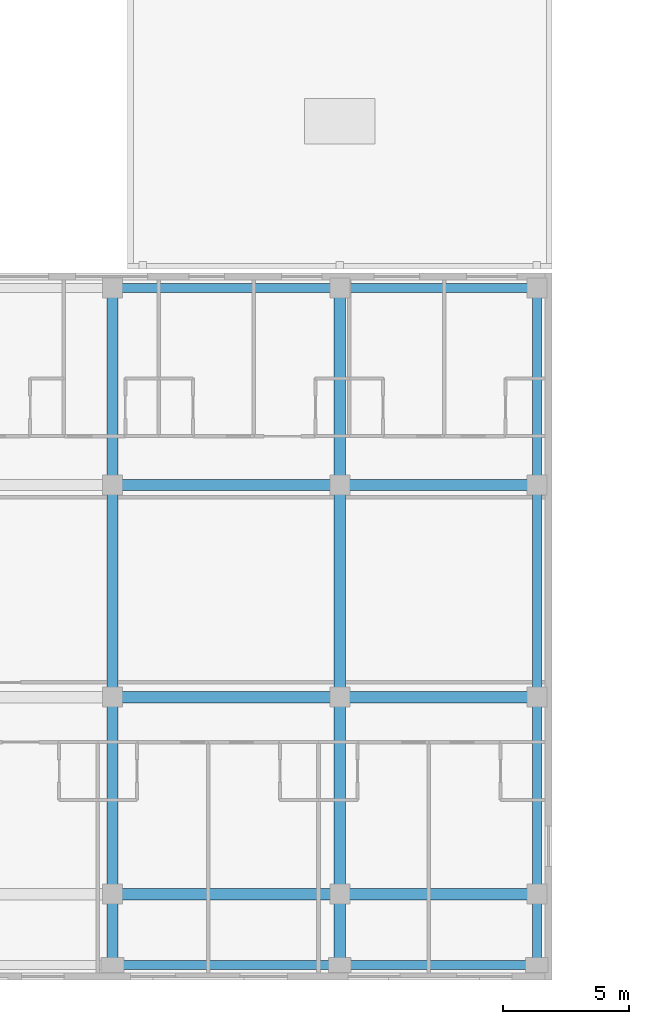
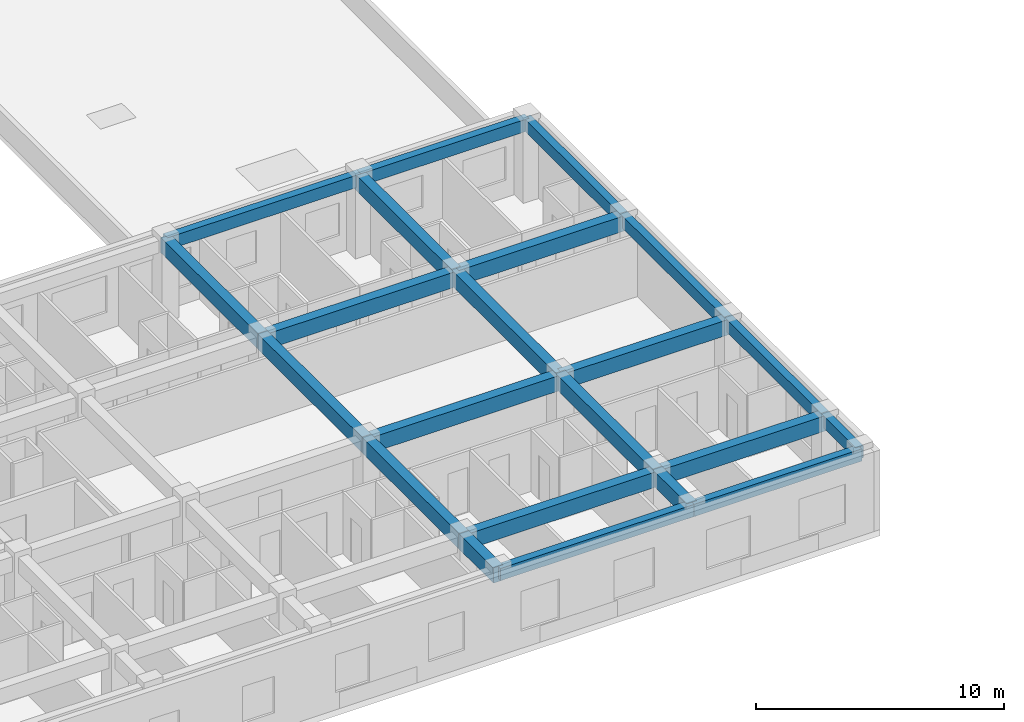
# One storey, part 26 of 127: 22 beams.
"""IFC4 building model written with IfcOpenShell, lengths in metres."""

import ifcopenshell
import ifcopenshell.guid

model = None  # the IFC model being written
_history = None  # IfcOwnerHistory: only IFC2X3 demands one
_inside = {}  # id of a spatial element -> (the spatial element, [elements in it])
_under = {}  # id of a project, library or spatial element -> (it, [spatial elements below it])
_declared = {}  # id of a project -> (the project, [libraries it declares])
_typed = {}  # id of a type object -> (the type object, [elements of that type])
_made_of = {}  # id of a material, layer set ... -> (it, [elements and type objects made of it])


def new_model(schema):
    """Start an empty IFC model of exactly this schema.

    Asked for "IFC4X3", IfcOpenShell would pick the latest addendum, in which some entities
    have other attributes; the version numbers below select the first issue.
    IFC2X3 requires an IfcOwnerHistory on every rooted entity: one is made here for all.
    """
    global model, _history
    if schema == "IFC4X3":
        model = ifcopenshell.file(schema_version=(4, 3, 0, 0))
    else:
        model = ifcopenshell.file(schema=schema)
    _inside.clear()
    _under.clear()
    _declared.clear()
    _typed.clear()
    _made_of.clear()
    _history = None
    if model.schema == "IFC2X3":
        org = make("IfcOrganization", Name="unknown")
        user = make(
            "IfcPersonAndOrganization",
            ThePerson=make("IfcPerson", FamilyName="unknown"),
            TheOrganization=org,
        )
        app = make(
            "IfcApplication",
            ApplicationDeveloper=org,
            Version="unknown",
            ApplicationFullName="unknown",
            ApplicationIdentifier="unknown",
        )
        _history = make(
            "IfcOwnerHistory",
            OwningUser=user,
            OwningApplication=app,
            ChangeAction="ADDED",
            CreationDate=0,
        )
    return model


def make(cls, **values):
    """One entity of the class cls with the attributes given. An attribute that is None is left unset."""
    return model.create_entity(
        cls, **{name: value for name, value in values.items() if value is not None}
    )


def rooted(cls, **values):
    """An entity with a GlobalId (a new one), such as an element, a storey or a relation."""
    return make(cls, GlobalId=ifcopenshell.guid.new(), OwnerHistory=_history, **values)


def si_unit(unit_type, name, prefix=None):
    """IfcSIUnit, for example si_unit("LENGTHUNIT", "METRE", prefix="MILLI")."""
    return make("IfcSIUnit", UnitType=unit_type, Prefix=prefix, Name=name)


def assignment(units):
    """IfcUnitAssignment: the units of a project."""
    return None if units is None else make("IfcUnitAssignment", Units=units)


def point(xyz):
    """IfcCartesianPoint."""
    return None if xyz is None else make("IfcCartesianPoint", Coordinates=xyz)


def direction(xyz):
    """IfcDirection."""
    return None if xyz is None else make("IfcDirection", DirectionRatios=xyz)


def frame(location, z_axis=None, x_axis=None):
    """IfcAxis2Placement3D, a coordinate frame: its origin and axes. An axis left out is left unset."""
    return make(
        "IfcAxis2Placement3D",
        Location=point(location),
        Axis=direction(z_axis),
        RefDirection=direction(x_axis),
    )


def frame_2d(location, x_axis=None):
    """IfcAxis2Placement2D, a coordinate frame in the plane: its origin and x axis."""
    return make(
        "IfcAxis2Placement2D", Location=point(location), RefDirection=direction(x_axis)
    )


def origin():
    """The frame at (0, 0, 0) with its axes left unset."""
    return frame((0.0, 0.0, 0.0))


def origin_2d():
    """The frame at (0, 0) in the plane with its x axis left unset."""
    return frame_2d((0.0, 0.0))


def place(relative_to, where):
    """IfcLocalPlacement: puts the frame where relative to a parent placement (None: the world)."""
    return make(
        "IfcLocalPlacement", PlacementRelTo=relative_to, RelativePlacement=where
    )


def context(
    kind, dimensions, precision=None, world=None, true_north=None, identifier=None
):
    """IfcGeometricRepresentationContext, for example the 3D "Model" context."""
    return make(
        "IfcGeometricRepresentationContext",
        ContextIdentifier=identifier,
        ContextType=kind,
        CoordinateSpaceDimension=dimensions,
        Precision=precision,
        WorldCoordinateSystem=world,
        TrueNorth=true_north,
    )


def subcontext(parent, identifier, kind, view, scale=None):
    """IfcGeometricRepresentationSubContext, for example "Body" below "Model"."""
    return make(
        "IfcGeometricRepresentationSubContext",
        ContextIdentifier=identifier,
        ContextType=kind,
        ParentContext=parent,
        TargetScale=scale,
        TargetView=view,
    )


def project(units=None, contexts=None):
    """IfcProject with its units and contexts."""
    return rooted(
        "IfcProject",
        Name="project",
        RepresentationContexts=contexts,
        UnitsInContext=assignment(units),
    )


def spatial(cls, under=None, at=None, **own):
    """A site, building, storey or space (cls), placed at a placement, below another one or the project."""
    s = rooted(cls, ObjectPlacement=at, **own)
    if under is not None:
        _under.setdefault(under.id(), (under, []))[1].append(s)
    return s


def profile(cls, at=None, kind="AREA", **sizes):
    """A parametric profile (cls). Its sizes go by their IFC names, for example OverallWidth=200.0."""
    return make(cls, ProfileType=kind, Position=at, **sizes)


def rectangle(**sizes):
    """IfcRectangleProfileDef."""
    return profile("IfcRectangleProfileDef", **sizes)


def extrude(swept, where, along, depth):
    """IfcExtrudedAreaSolid: the profile swept, set in the frame where, extruded along a direction by depth."""
    return make(
        "IfcExtrudedAreaSolid",
        SweptArea=swept,
        Position=where,
        ExtrudedDirection=direction(along),
        Depth=depth,
    )


def shape(context_of_items, identifier, shape_type, items):
    """IfcShapeRepresentation: the items that make up one representation, for example the "Body"."""
    return make(
        "IfcShapeRepresentation",
        ContextOfItems=context_of_items,
        RepresentationIdentifier=identifier,
        RepresentationType=shape_type,
        Items=items,
    )


def material(Name=None, Category=None):
    """IfcMaterial."""
    return make("IfcMaterial", Name=Name, Category=Category)


def material_profile(
    of_material, cross_section, Name=None, Category=None, Priority=None
):
    """IfcMaterialProfile: a cross section and its material."""
    return make(
        "IfcMaterialProfile",
        Name=Name,
        Material=of_material,
        Profile=cross_section,
        Priority=Priority,
        Category=Category,
    )


def profile_set(profiles, Name=None, composite=None):
    """IfcMaterialProfileSet."""
    return make(
        "IfcMaterialProfileSet",
        Name=Name,
        MaterialProfiles=profiles,
        CompositeProfile=composite,
    )


def made_of(thing, what):
    """Note that an element or type object is made of a material, layer set ...; save() writes the relation."""
    if what is not None:
        _made_of.setdefault(what.id(), (what, []))[1].append(thing)
    return thing


def type_object(cls, material=None, **own):
    """A type object (cls), such as IfcWallType, which elements share."""
    return made_of(rooted(cls, **own), material)


def element(
    cls,
    number,
    at=None,
    inside=None,
    cuts=None,
    type_object=None,
    material=None,
    context=None,
    identifier="Body",
    shape_type=None,
    held_by="IfcProductDefinitionShape",
    body=None,
    shapes=None,
    **own,
):
    """One element of the class cls, such as IfcWall. Its Tag is "e" and its number.

    at: its placement. inside: the storey or other place that contains it. cuts: it is an
    opening in that element (IfcRelVoidsElement). A single representation is given by context,
    identifier, shape_type and body (its items); several are given by shapes. held_by: the class
    of the entity that holds the representations. save() writes the other relations.
    """
    e = rooted(cls, Tag="e%d" % number, ObjectPlacement=at, **own)
    if body is not None:
        shapes = [shape(context, identifier, shape_type, body)]
    if shapes is not None:
        e.Representation = make(held_by, Representations=shapes)
    if inside is not None:
        _inside.setdefault(inside.id(), (inside, []))[1].append(e)
    if cuts is not None:
        rooted(
            "IfcRelVoidsElement", RelatingBuildingElement=cuts, RelatedOpeningElement=e
        )
    if type_object is not None:
        _typed.setdefault(type_object.id(), (type_object, []))[1].append(e)
    return made_of(e, material)


def aggregate(whole, parts):
    """IfcRelAggregates: a whole, such as a stair, and the parts it consists of."""
    return rooted("IfcRelAggregates", RelatingObject=whole, RelatedObjects=parts)


def save(model, path):
    """Write the relations noted so far, then the file.

    IfcRelAggregates (storeys below a building ...), IfcRelContainedInSpatialStructure (elements
    in a storey), IfcRelDefinesByType, IfcRelAssociatesMaterial and IfcRelDeclares: one each for
    every whole, place, type object, material and project.
    """
    for whole, parts in _under.values():
        aggregate(whole, parts)
    for where, things in _inside.values():
        rooted(
            "IfcRelContainedInSpatialStructure",
            RelatedElements=things,
            RelatingStructure=where,
        )
    for kind, things in _typed.values():
        rooted("IfcRelDefinesByType", RelatedObjects=things, RelatingType=kind)
    for what, things in _made_of.values():
        rooted("IfcRelAssociatesMaterial", RelatedObjects=things, RelatingMaterial=what)
    for by, libraries in _declared.values():
        rooted("IfcRelDeclares", RelatingContext=by, RelatedDefinitions=libraries)
    model.write(path)


model = new_model("IFC4")

# Units and contexts
model_context = context("Model", 3, precision=1e-05, world=origin(), true_north=direction((0.0, 1.0)))
body_context = subcontext(model_context, "Body", "Model", "MODEL_VIEW")
ifc_project = project(units=[si_unit("LENGTHUNIT", "METRE"), si_unit("AREAUNIT", "SQUARE_METRE"), si_unit("VOLUMEUNIT", "CUBIC_METRE"), si_unit("PLANEANGLEUNIT", "RADIAN"), si_unit("MASSUNIT", "GRAM", prefix="KILO")], contexts=[model_context])

# Site, building, storey
site_placement = place(None, origin())
site = spatial("IfcSite", under=ifc_project, at=site_placement, CompositionType="ELEMENT")
building_placement = place(site_placement, origin())
building = spatial("IfcBuilding", under=site, at=building_placement, Name="Zayran Congress Hotel", CompositionType="ELEMENT")
storey_placement = place(building_placement, frame((0.0, 0.0, 10.800048828125)))
storey = spatial("IfcBuildingStorey", under=building, at=storey_placement, Name="L02", CompositionType="ELEMENT", Elevation=10.800048828125)

# Beams
ifc_material = material(Name="Concrete C40/50", Category="concrete")
ifc_material_profile_1 = material_profile(ifc_material, rectangle(XDim=0.449951171875, YDim=0.75, at=origin_2d()), Name="RC 450x750")
ifc_profile_set_1 = profile_set([ifc_material_profile_1], Name="Concrete C40/50")
beam_type_1 = type_object("IfcBeamType", Name="TP-BM-02", PredefinedType="BEAM", material=ifc_profile_set_1)
beam_1_placement = place(storey_placement, frame((75.0, 9.39990234375, 3.544921875), z_axis=(1.0, 0.0, 0.0), x_axis=(0.0, 1.0, 0.0)))
element("IfcBeam", 1, at=beam_1_placement, inside=storey, type_object=beam_type_1, Name="BM-V5-L02-1786", PredefinedType="BEAM", context=body_context, shape_type="SweptSolid", body=[
    extrude(rectangle(XDim=0.449951171875, YDim=0.75, at=origin_2d()), origin(), (0.0, 0.0, 1.0), 9.0),
])
beam_2_placement = place(storey_placement, frame((84.0, 9.39990234375, 3.544921875), z_axis=(1.0, 0.0, 0.0), x_axis=(0.0, 1.0, 0.0)))
element("IfcBeam", 2, at=beam_2_placement, inside=storey, type_object=beam_type_1, Name="BM-V5-L02-1787", PredefinedType="BEAM", context=body_context, shape_type="SweptSolid", body=[
    extrude(rectangle(XDim=0.449951171875, YDim=0.75, at=origin_2d()), origin(), (0.0, 0.0, 1.0), 7.800048828125),
])
beam_3_placement = place(storey_placement, frame((75.0, 17.199951171875, 3.544921875), z_axis=(1.0, 0.0, 0.0), x_axis=(0.0, 1.0, 0.0)))
element("IfcBeam", 3, at=beam_3_placement, inside=storey, type_object=beam_type_1, Name="BM-V5-L02-1796", PredefinedType="BEAM", context=body_context, shape_type="SweptSolid", body=[
    extrude(rectangle(XDim=0.449951171875, YDim=0.75, at=origin_2d()), origin(), (0.0, 0.0, 1.0), 9.0),
])
beam_4_placement = place(storey_placement, frame((84.0, 17.199951171875, 3.544921875), z_axis=(1.0, 0.0, 0.0), x_axis=(0.0, 1.0, 0.0)))
element("IfcBeam", 4, at=beam_4_placement, inside=storey, type_object=beam_type_1, Name="BM-V5-L02-1797", PredefinedType="BEAM", context=body_context, shape_type="SweptSolid", body=[
    extrude(rectangle(XDim=0.449951171875, YDim=0.75, at=origin_2d()), origin(), (0.0, 0.0, 1.0), 7.800048828125),
])
beam_5_placement = place(storey_placement, frame((75.0, 25.60009765625, 3.544921875), z_axis=(1.0, 0.0, 0.0), x_axis=(0.0, 1.0, 0.0)))
element("IfcBeam", 5, at=beam_5_placement, inside=storey, type_object=beam_type_1, Name="BM-V5-L02-1806", PredefinedType="BEAM", context=body_context, shape_type="SweptSolid", body=[
    extrude(rectangle(XDim=0.449951171875, YDim=0.75, at=origin_2d()), origin(), (0.0, 0.0, 1.0), 9.0),
])
beam_6_placement = place(storey_placement, frame((84.0, 25.60009765625, 3.544921875), z_axis=(1.0, 0.0, 0.0), x_axis=(0.0, 1.0, 0.0)))
element("IfcBeam", 6, at=beam_6_placement, inside=storey, type_object=beam_type_1, Name="BM-V5-L02-1807", PredefinedType="BEAM", context=body_context, shape_type="SweptSolid", body=[
    extrude(rectangle(XDim=0.449951171875, YDim=0.75, at=origin_2d()), origin(), (0.0, 0.0, 1.0), 7.800048828125),
])
beam_7_placement = place(storey_placement, frame((75.0, 6.60009765625, 3.544921875), z_axis=(0.0, 1.0, 0.0), x_axis=(-1.0, 0.0, 0.0)))
element("IfcBeam", 7, at=beam_7_placement, inside=storey, type_object=beam_type_1, Name="BM-V5-L02-1848", PredefinedType="BEAM", context=body_context, shape_type="SweptSolid", body=[
    extrude(rectangle(XDim=0.449951171875, YDim=0.75, at=origin_2d()), origin(), (0.0, 0.0, 1.0), 2.7998046875),
])
beam_8_placement = place(storey_placement, frame((75.0, 9.39990234375, 3.544921875), z_axis=(0.0, 1.0, 0.0), x_axis=(-1.0, 0.0, 0.0)))
element("IfcBeam", 8, at=beam_8_placement, inside=storey, type_object=beam_type_1, Name="BM-V5-L02-1849", PredefinedType="BEAM", context=body_context, shape_type="SweptSolid", body=[
    extrude(rectangle(XDim=0.449951171875, YDim=0.75, at=origin_2d()), origin(), (0.0, 0.0, 1.0), 7.800048828125),
])
beam_9_placement = place(storey_placement, frame((75.0, 17.199951171875, 3.544921875), z_axis=(0.0, 1.0, 0.0), x_axis=(-1.0, 0.0, 0.0)))
element("IfcBeam", 9, at=beam_9_placement, inside=storey, type_object=beam_type_1, Name="BM-V5-L02-1850", PredefinedType="BEAM", context=body_context, shape_type="SweptSolid", body=[
    extrude(rectangle(XDim=0.449951171875, YDim=0.75, at=origin_2d()), origin(), (0.0, 0.0, 1.0), 8.400146484375),
])
beam_10_placement = place(storey_placement, frame((75.0, 25.60009765625, 3.544921875), z_axis=(0.0, 1.0, 0.0), x_axis=(-1.0, 0.0, 0.0)))
element("IfcBeam", 10, at=beam_10_placement, inside=storey, type_object=beam_type_1, Name="BM-V5-L02-1851", PredefinedType="BEAM", context=body_context, shape_type="SweptSolid", body=[
    extrude(rectangle(XDim=0.449951171875, YDim=0.75, at=origin_2d()), origin(), (0.0, 0.0, 1.0), 7.7998046875),
])
beam_11_placement = place(storey_placement, frame((84.0, 6.60009765625, 3.544921875), z_axis=(0.0, 1.0, 0.0), x_axis=(-1.0, 0.0, 0.0)))
element("IfcBeam", 11, at=beam_11_placement, inside=storey, type_object=beam_type_1, Name="BM-V5-L02-1852", PredefinedType="BEAM", context=body_context, shape_type="SweptSolid", body=[
    extrude(rectangle(XDim=0.449951171875, YDim=0.75, at=origin_2d()), origin(), (0.0, 0.0, 1.0), 2.7998046875),
])
beam_12_placement = place(storey_placement, frame((84.0, 9.39990234375, 3.544921875), z_axis=(0.0, 1.0, 0.0), x_axis=(-1.0, 0.0, 0.0)))
element("IfcBeam", 12, at=beam_12_placement, inside=storey, type_object=beam_type_1, Name="BM-V5-L02-1853", PredefinedType="BEAM", context=body_context, shape_type="SweptSolid", body=[
    extrude(rectangle(XDim=0.449951171875, YDim=0.75, at=origin_2d()), origin(), (0.0, 0.0, 1.0), 7.800048828125),
])
beam_13_placement = place(storey_placement, frame((84.0, 17.199951171875, 3.544921875), z_axis=(0.0, 1.0, 0.0), x_axis=(-1.0, 0.0, 0.0)))
element("IfcBeam", 13, at=beam_13_placement, inside=storey, type_object=beam_type_1, Name="BM-V5-L02-1854", PredefinedType="BEAM", context=body_context, shape_type="SweptSolid", body=[
    extrude(rectangle(XDim=0.449951171875, YDim=0.75, at=origin_2d()), origin(), (0.0, 0.0, 1.0), 8.400146484375),
])
beam_14_placement = place(storey_placement, frame((84.0, 25.60009765625, 3.544921875), z_axis=(0.0, 1.0, 0.0), x_axis=(-1.0, 0.0, 0.0)))
element("IfcBeam", 14, at=beam_14_placement, inside=storey, type_object=beam_type_1, Name="BM-V5-L02-1855", PredefinedType="BEAM", context=body_context, shape_type="SweptSolid", body=[
    extrude(rectangle(XDim=0.449951171875, YDim=0.75, at=origin_2d()), origin(), (0.0, 0.0, 1.0), 7.7998046875),
])
ifc_material_profile_2 = material_profile(ifc_material, rectangle(XDim=0.35009765625, YDim=0.60009765625, at=origin_2d()), Name="RC 350x600")
ifc_profile_set_2 = profile_set([ifc_material_profile_2], Name="Concrete C40/50")
beam_type_2 = type_object("IfcBeamType", Name="TP-SP-01", PredefinedType="SPANDREL", material=ifc_profile_set_2)
beam_15_placement = place(storey_placement, frame((75.0, 6.60009765625, 3.619873046875), z_axis=(1.0, 0.0, 0.0), x_axis=(0.0, 1.0, 0.0)))
element("IfcBeam", 15, at=beam_15_placement, inside=storey, type_object=beam_type_2, Name="BM-V5-L02-1776", PredefinedType="SPANDREL", context=body_context, shape_type="SweptSolid", body=[
    extrude(rectangle(XDim=0.35009765625, YDim=0.60009765625, at=origin_2d()), origin(), (0.0, 0.0, 1.0), 9.0),
])
beam_16_placement = place(storey_placement, frame((84.0, 6.60009765625, 3.619873046875), z_axis=(1.0, 0.0, 0.0), x_axis=(0.0, 1.0, 0.0)))
element("IfcBeam", 16, at=beam_16_placement, inside=storey, type_object=beam_type_2, Name="BM-V5-L02-1777", PredefinedType="SPANDREL", context=body_context, shape_type="SweptSolid", body=[
    extrude(rectangle(XDim=0.35009765625, YDim=0.60009765625, at=origin_2d()), origin(), (0.0, 0.0, 1.0), 7.800048828125),
])
beam_17_placement = place(storey_placement, frame((75.0, 33.39990234375, 3.619873046875), z_axis=(1.0, 0.0, 0.0), x_axis=(0.0, 1.0, 0.0)))
element("IfcBeam", 17, at=beam_17_placement, inside=storey, type_object=beam_type_2, Name="BM-V5-L02-1816", PredefinedType="SPANDREL", context=body_context, shape_type="SweptSolid", body=[
    extrude(rectangle(XDim=0.35009765625, YDim=0.60009765625, at=origin_2d()), origin(), (0.0, 0.0, 1.0), 9.0),
])
beam_18_placement = place(storey_placement, frame((84.0, 33.39990234375, 3.619873046875), z_axis=(1.0, 0.0, 0.0), x_axis=(0.0, 1.0, 0.0)))
element("IfcBeam", 18, at=beam_18_placement, inside=storey, type_object=beam_type_2, Name="BM-V5-L02-1817", PredefinedType="SPANDREL", context=body_context, shape_type="SweptSolid", body=[
    extrude(rectangle(XDim=0.35009765625, YDim=0.60009765625, at=origin_2d()), origin(), (0.0, 0.0, 1.0), 7.800048828125),
])
beam_19_placement = place(storey_placement, frame((91.800048828125, 6.60009765625, 3.619873046875), z_axis=(0.0, 1.0, 0.0), x_axis=(-1.0, 0.0, 0.0)))
element("IfcBeam", 19, at=beam_19_placement, inside=storey, type_object=beam_type_2, Name="BM-V5-L02-1856", PredefinedType="SPANDREL", context=body_context, shape_type="SweptSolid", body=[
    extrude(rectangle(XDim=0.35009765625, YDim=0.60009765625, at=origin_2d()), origin(), (0.0, 0.0, 1.0), 2.7998046875),
])
beam_20_placement = place(storey_placement, frame((91.800048828125, 9.39990234375, 3.619873046875), z_axis=(0.0, 1.0, 0.0), x_axis=(-1.0, 0.0, 0.0)))
element("IfcBeam", 20, at=beam_20_placement, inside=storey, type_object=beam_type_2, Name="BM-V5-L02-1857", PredefinedType="SPANDREL", context=body_context, shape_type="SweptSolid", body=[
    extrude(rectangle(XDim=0.35009765625, YDim=0.60009765625, at=origin_2d()), origin(), (0.0, 0.0, 1.0), 7.800048828125),
])
beam_21_placement = place(storey_placement, frame((91.800048828125, 17.199951171875, 3.619873046875), z_axis=(0.0, 1.0, 0.0), x_axis=(-1.0, 0.0, 0.0)))
element("IfcBeam", 21, at=beam_21_placement, inside=storey, type_object=beam_type_2, Name="BM-V5-L02-1858", PredefinedType="SPANDREL", context=body_context, shape_type="SweptSolid", body=[
    extrude(rectangle(XDim=0.35009765625, YDim=0.60009765625, at=origin_2d()), origin(), (0.0, 0.0, 1.0), 8.400146484375),
])
beam_22_placement = place(storey_placement, frame((91.800048828125, 25.60009765625, 3.619873046875), z_axis=(0.0, 1.0, 0.0), x_axis=(-1.0, 0.0, 0.0)))
element("IfcBeam", 22, at=beam_22_placement, inside=storey, type_object=beam_type_2, Name="BM-V5-L02-1859", PredefinedType="SPANDREL", context=body_context, shape_type="SweptSolid", body=[
    extrude(rectangle(XDim=0.35009765625, YDim=0.60009765625, at=origin_2d()), origin(), (0.0, 0.0, 1.0), 7.7998046875),
])

save(model, "model.ifc")
